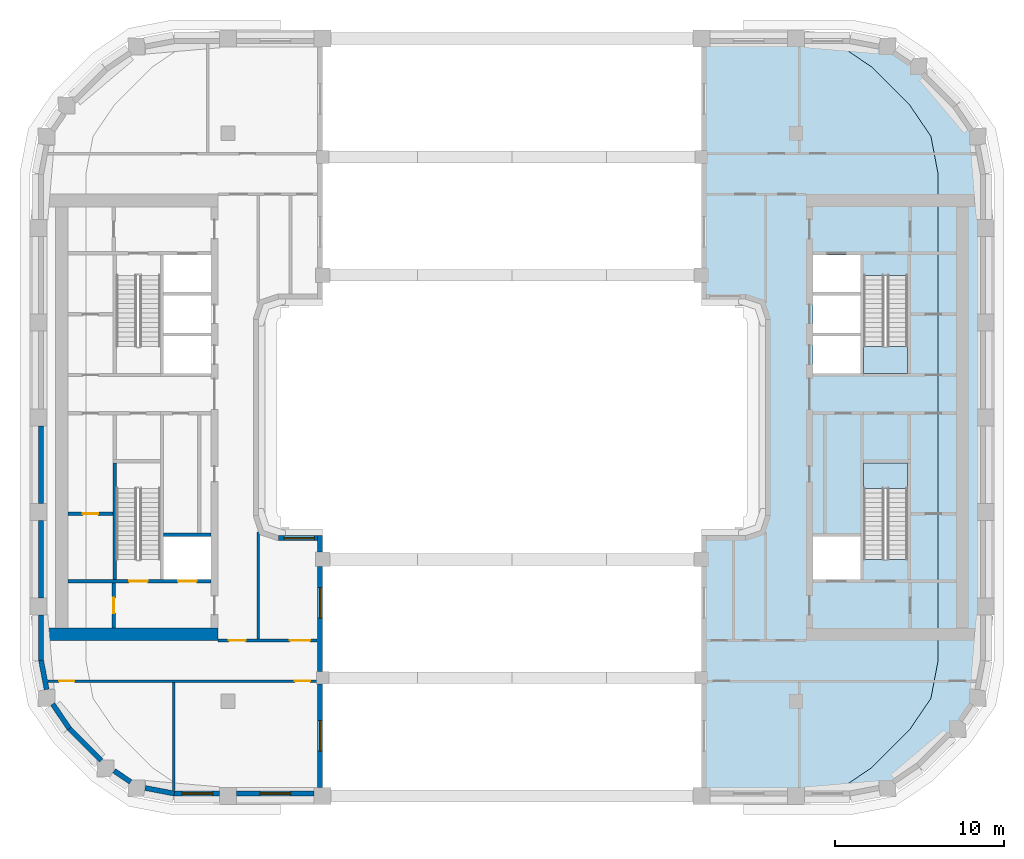
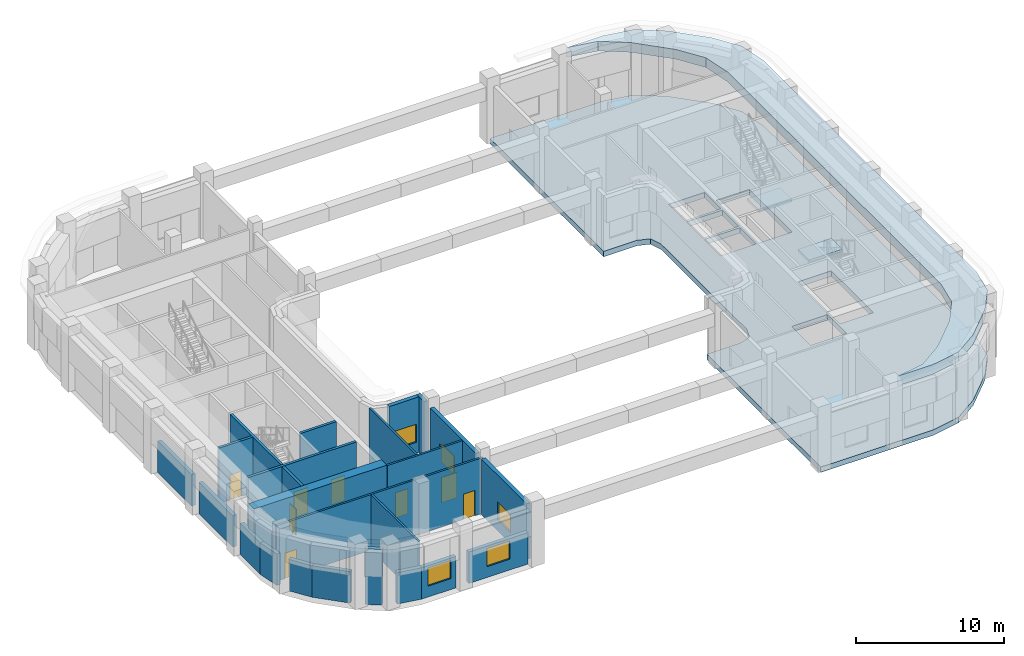
# One storey, part 2 of 14: 24 walls, 8 doors, 5 windows, 4 slabs, 13 openings, 2 elements without a shape of their own.
"""IFC4 building model written with IfcOpenShell, lengths in metres."""

from ifc_helpers import new_model, si_unit, direction, frame, frame_2d, origin, place, context, subcontext, project, spatial, polyline, rectangle, outline, extrude, material, layer, layer_set, type_object, element, fill, aggregate, save


model = new_model("IFC4")

# Units and contexts
model_context = context("Model", 3, precision=1e-05, world=origin(), true_north=direction((0.0, 1.0)))
body_context = subcontext(model_context, "Body", "Model", "MODEL_VIEW")
ifc_project = project(units=[si_unit("LENGTHUNIT", "METRE"), si_unit("AREAUNIT", "SQUARE_METRE"), si_unit("VOLUMEUNIT", "CUBIC_METRE"), si_unit("PLANEANGLEUNIT", "RADIAN"), si_unit("MASSUNIT", "GRAM", prefix="KILO")], contexts=[model_context])

# Site, building, storey
site_placement = place(None, origin())
site = spatial("IfcSite", under=ifc_project, at=site_placement, CompositionType="ELEMENT")
building_placement = place(site_placement, origin())
building = spatial("IfcBuilding", under=site, at=building_placement, Name="Kiln Ring Residences", CompositionType="ELEMENT")
storey_placement = place(building_placement, frame((0.0, 0.0, 183.5)))
storey = spatial("IfcBuildingStorey", under=building, at=storey_placement, Name="L47", CompositionType="ELEMENT", Elevation=183.5)

# Stair, slab
ifc_material_1 = material(Name="Concrete C40/50", Category="concrete")
stair_type = type_object("IfcStairType", Name="CORE-STAIR", PredefinedType="HALF_TURN_STAIR", material=ifc_material_1)
placement_1 = place(storey_placement, origin())
stair_1 = element("IfcStair", 1, at=placement_1, inside=storey, type_object=stair_type, Name="L47 stair E-STN", PredefinedType="HALF_TURN_STAIR")
ifc_material_2 = material(Name="Concrete C40/50", Category="concrete")
ifc_layer_1 = layer(ifc_material_2, 0.199951171875)
ifc_layer_set_1 = layer_set([ifc_layer_1], Name="CORE-STAIR-LANDING")
slab_type_1 = type_object("IfcSlabType", Name="CORE-STAIR-LANDING", PredefinedType="LANDING", material=ifc_layer_set_1)
placement_2 = place(storey_placement, frame((0.0, 0.0, 2.5)))
slab_1 = element("IfcSlab", 2, at=placement_2, type_object=slab_type_1, Name="E-STN landing 1", PredefinedType="LANDING", context=body_context, shape_type="SweptSolid", body=[
    extrude(outline(polyline([(20.800048828125, 4.199951171875), (20.800048828125, 2.60009765625), (23.39990234375, 2.60009765625), (23.39990234375, 4.199951171875), (20.800048828125, 4.199951171875)])), origin(), (0.0, 0.0, 1.0), 0.199951171875),
])
aggregate(stair_1, [slab_1])

stair_2 = element("IfcStair", 3, at=placement_1, inside=storey, type_object=stair_type, Name="L47 stair E-STS", PredefinedType="HALF_TURN_STAIR")
slab_2 = element("IfcSlab", 4, at=placement_2, type_object=slab_type_1, Name="E-STS landing 1", PredefinedType="LANDING", context=body_context, shape_type="SweptSolid", body=[
    extrude(outline(polyline([(23.39990234375, -4.199951171875), (23.39990234375, -2.699951171875), (20.800048828125, -2.699951171875), (20.800048828125, -4.199951171875), (23.39990234375, -4.199951171875)])), origin(), (0.0, 0.0, 1.0), 0.199951171875),
])
aggregate(stair_2, [slab_2])

# Slabs
ifc_material_3 = material(Name="Concrete C40/50", Category="concrete")
ifc_layer_2 = layer(ifc_material_3, 0.449951171875)
ifc_layer_set_2 = layer_set([ifc_layer_2], Name="Floor slab 450")
slab_type_2 = type_object("IfcSlabType", Name="Floor slab 450", PredefinedType="FLOOR", material=ifc_layer_set_2)
slab_3_placement = place(storey_placement, frame((0.0, 0.0, -0.449951171875)))
element("IfcSlab", 5, at=slab_3_placement, inside=storey, type_object=slab_type_2, Name="Floor slab L47 2", PredefinedType="FLOOR", context=body_context, shape_type="SweptSolid", body=[
    extrude(outline(polyline([(13.800048828125, -7.0), (11.199951171875, -7.0), (11.199951171875, -22.39990234375), (20.0, -22.39990234375), (22.224365234375, -21.975830078125), (24.09716796875, -20.702880859375), (26.302978515625, -18.4970703125), (27.57568359375, -16.624267578125), (28.0, -14.39990234375), (28.0, 14.39990234375), (27.57568359375, 16.624267578125), (26.302978515625, 18.4970703125), (24.09716796875, 20.702880859375), (22.224365234375, 21.975830078125), (20.0, 22.39990234375), (11.199951171875, 22.39990234375), (11.199951171875, 7.0), (13.800048828125, 7.0), (14.699951171875, 6.699951171875), (15.0, 5.800048828125), (15.0, -5.800048828125), (14.699951171875, -6.699951171875), (13.800048828125, -7.0)]), holes=[polyline([(20.800048828125, -8.39794921875), (20.800048828125, -2.699951171875), (23.39990234375, -2.699951171875), (23.39990234375, -8.39794921875), (20.800048828125, -8.39794921875)]), polyline([(23.39990234375, 2.60009765625), (20.800048828125, 2.60009765625), (20.800048828125, 8.39794921875), (23.39990234375, 8.39794921875), (23.39990234375, 2.60009765625)]), polyline([(17.800048828125, 2.60009765625), (17.800048828125, 4.800048828125), (20.60009765625, 4.800048828125), (20.60009765625, 2.60009765625), (17.800048828125, 2.60009765625)]), polyline([(17.800048828125, 5.0), (17.800048828125, 7.199951171875), (20.60009765625, 7.199951171875), (20.60009765625, 5.0), (17.800048828125, 5.0)]), polyline([(17.800048828125, 7.39990234375), (17.800048828125, 9.60009765625), (20.60009765625, 9.60009765625), (20.60009765625, 7.39990234375), (17.800048828125, 7.39990234375)]), polyline([(20.60009765625, -9.60009765625), (17.800048828125, -9.60009765625), (17.800048828125, -7.050048828125), (20.60009765625, -7.050048828125), (20.60009765625, -9.60009765625)])]), origin(), (0.0, 0.0, 1.0), 0.449951171875),
])
ifc_material_4 = material(Name="Concrete C40/50", Category="concrete")
ifc_layer_3 = layer(ifc_material_4, 0.800048828125)
ifc_layer_set_3 = layer_set([ifc_layer_3], Name="Roof slab 800")
slab_type_3 = type_object("IfcSlabType", Name="Roof slab 800", PredefinedType="ROOF", material=ifc_layer_set_3)
slab_4_placement = place(storey_placement, frame((0.0, 0.0, 4.60009765625)))
element("IfcSlab", 6, at=slab_4_placement, inside=storey, type_object=slab_type_3, Name="Roof slab L47 2", PredefinedType="ROOF", context=body_context, shape_type="SweptSolid", body=[
    extrude(outline(polyline([(17.20263671875, 22.39990234375), (19.424560546875, 21.97607421875), (21.29736328125, 20.703369140625), (23.50341796875, 18.497314453125), (24.776123046875, 16.62451171875), (25.200439453125, 14.400146484375), (25.200439453125, -14.400146484375), (24.776123046875, -16.62451171875), (23.50341796875, -18.497314453125), (21.29736328125, -20.703369140625), (19.424560546875, -21.97607421875), (17.20263671875, -22.39990234375), (20.0, -22.39990234375), (22.224365234375, -21.975830078125), (24.09716796875, -20.702880859375), (26.302978515625, -18.4970703125), (27.57568359375, -16.624267578125), (28.0, -14.39990234375), (28.0, 14.39990234375), (27.57568359375, 16.624267578125), (26.302978515625, 18.4970703125), (24.09716796875, 20.702880859375), (22.224365234375, 21.975830078125), (20.0, 22.39990234375), (17.20263671875, 22.39990234375)])), origin(), (0.0, 0.0, 1.0), 0.7998046875),
])

# Wall, opening, door
ifc_material_5 = material(Name="Gypsum board on steel studs", Category="steel")
ifc_layer_4 = layer(ifc_material_5, 0.199951171875)
ifc_layer_set_4 = layer_set([ifc_layer_4], Name="CORE-PARTITION-200")
wall_type_1 = type_object("IfcWallType", Name="CORE-PARTITION-200", PredefinedType="PARTITIONING", material=ifc_layer_set_4)
wall_1_placement = place(storey_placement, frame((-23.550048828125, -12.449951171875, 0.0), z_axis=(0.0, 0.0, 1.0), x_axis=(0.0, 1.0, 0.0)))
wall_1 = element("IfcWall", 7, at=wall_1_placement, inside=storey, type_object=wall_type_1, Name="Core partition west L47 5", PredefinedType="PARTITIONING", context=body_context, shape_type="SweptSolid", body=[
    extrude(rectangle(XDim=2.64990234375, YDim=0.199951171875, at=frame_2d((1.324951171875, 0.0))), origin(), (0.0, 0.0, 1.0), 4.60009765625),
])
opening_1_placement = place(wall_1_placement, frame((0.875, 0.0, 0.0)))
opening_1 = element("IfcOpeningElement", 8, at=opening_1_placement, cuts=wall_1, Name="Opening L47-CW10", PredefinedType="OPENING", context=body_context, shape_type="SweptSolid", body=[
    extrude(rectangle(XDim=0.89990234375, YDim=2.10009765625, at=frame_2d((0.449951171875, 1.050048828125))), frame((0.0, 0.10986328125, 0.0), z_axis=(0.0, -1.0, 0.0), x_axis=(1.0, 0.0, 0.0)), (0.0, 0.0, 1.0), 0.219970703125),
])
ifc_material_6 = material(Name="Steel door leaf", Category="steel")
door_type_1 = type_object("IfcDoorType", Name="CORE-DOOR-ROOM", OperationType="SINGLE_SWING_LEFT", PredefinedType="DOOR", material=ifc_material_6)
door_1_placement = place(opening_1_placement, origin())
door_1 = element("IfcDoor", 9, at=door_1_placement, inside=storey, type_object=door_type_1, Name="Store L47-CW10", OperationType="SINGLE_SWING_RIGHT", OverallHeight=2.10009765625, OverallWidth=0.89990234375, PredefinedType="DOOR", context=body_context, shape_type="SweptSolid", body=[
    extrude(rectangle(XDim=0.89990234375, YDim=2.10009765625, at=frame_2d((0.449951171875, 1.050048828125))), frame((0.0, 0.02490234375, 0.0), z_axis=(0.0, -1.0, 0.0), x_axis=(1.0, 0.0, 0.0)), (0.0, 0.0, 1.0), 0.050048828125),
])
fill(opening_1, door_1)

wall_2_placement = place(storey_placement, frame((-23.60009765625, -5.699951171875, 0.0), z_axis=(0.0, 0.0, 1.0), x_axis=(-1.0, 0.0, 0.0)))
wall_2 = element("IfcWall", 10, at=wall_2_placement, inside=storey, type_object=wall_type_1, Name="Core partition west L47 6", PredefinedType="PARTITIONING", context=body_context, shape_type="SweptSolid", body=[
    extrude(rectangle(XDim=2.64990234375, YDim=0.199951171875, at=frame_2d((1.324951171875, 0.0))), origin(), (0.0, 0.0, 1.0), 4.60009765625),
])
opening_2_placement = place(wall_2_placement, frame((0.875, 0.0, 0.0)))
opening_2 = element("IfcOpeningElement", 11, at=opening_2_placement, cuts=wall_2, Name="Opening L47-CW15", PredefinedType="OPENING", context=body_context, shape_type="SweptSolid", body=[
    extrude(rectangle(XDim=0.89990234375, YDim=2.10009765625, at=frame_2d((0.449951171875, 1.050048828125))), frame((0.0, 0.10986328125, 0.0), z_axis=(0.0, -1.0, 0.0), x_axis=(1.0, 0.0, 0.0)), (0.0, 0.0, 1.0), 0.219970703125),
])
door_2_placement = place(opening_2_placement, origin())
door_2 = element("IfcDoor", 12, at=door_2_placement, inside=storey, type_object=door_type_1, Name="Battery room L47-CW15", OperationType="SINGLE_SWING_RIGHT", OverallHeight=2.10009765625, OverallWidth=0.89990234375, PredefinedType="DOOR", context=body_context, shape_type="SweptSolid", body=[
    extrude(rectangle(XDim=0.89990234375, YDim=2.10009765625, at=frame_2d((0.449951171875, 1.050048828125))), frame((0.0, 0.02490234375, 0.0), z_axis=(0.0, -1.0, 0.0), x_axis=(1.0, 0.0, 0.0)), (0.0, 0.0, 1.0), 0.050048828125),
])
fill(opening_2, door_2)

# Wall
ifc_material_7 = material(Name="Gypsum shaft wall system")
ifc_layer_5 = layer(ifc_material_7, 0.199951171875)
ifc_layer_set_5 = layer_set([ifc_layer_5], Name="CORE-SHAFT-WALL-200")
wall_type_2 = type_object("IfcWallType", Name="CORE-SHAFT-WALL-200", PredefinedType="PARTITIONING", material=ifc_layer_set_5)
wall_3_placement = place(storey_placement, frame((-17.800048828125, -6.949951171875, 0.0), z_axis=(0.0, 0.0, 1.0), x_axis=(-1.0, 0.0, 0.0)))
element("IfcWall", 13, at=wall_3_placement, inside=storey, type_object=wall_type_2, Name="Core partition west L47 8", PredefinedType="PARTITIONING", context=body_context, shape_type="SweptSolid", body=[
    extrude(rectangle(XDim=2.800048828125, YDim=0.199951171875, at=frame_2d((1.39990234375, 0.0))), origin(), (0.0, 0.0, 1.0), 4.60009765625),
])

# Wall, openings, doors
ifc_material_8 = material(Name="Concrete C40/50", Category="concrete")
ifc_layer_6 = layer(ifc_material_8, 0.199951171875)
ifc_layer_set_6 = layer_set([ifc_layer_6], Name="CORE-WALL-RC200")
wall_type_3 = type_object("IfcWallType", Name="CORE-WALL-RC200", PredefinedType="SHEAR", material=ifc_layer_set_6)
wall_4_placement = place(storey_placement, frame((-17.800048828125, -9.699951171875, 0.0), z_axis=(0.0, 0.0, 1.0), x_axis=(-1.0, 0.0, 0.0)))
wall_4 = element("IfcWall", 14, at=wall_4_placement, inside=storey, type_object=wall_type_3, Name="Core wall west L47 8", PredefinedType="SHEAR", context=body_context, shape_type="SweptSolid", body=[
    extrude(rectangle(XDim=8.449951171875, YDim=0.199951171875, at=frame_2d((4.22509765625, 0.0))), origin(), (0.0, 0.0, 1.0), 4.60009765625),
])
opening_3_placement = place(wall_4_placement, frame((0.85009765625, 0.0, 0.0)))
opening_3 = element("IfcOpeningElement", 15, at=opening_3_placement, cuts=wall_4, Name="Opening L47-CW01", PredefinedType="OPENING", context=body_context, shape_type="SweptSolid", body=[
    extrude(rectangle(XDim=1.10009765625, YDim=2.10009765625, at=frame_2d((0.550048828125, 1.050048828125))), frame((0.0, 0.10986328125, 0.0), z_axis=(0.0, -1.0, 0.0), x_axis=(1.0, 0.0, 0.0)), (0.0, 0.0, 1.0), 0.219970703125),
])
opening_4_placement = place(wall_4_placement, frame((3.75, 0.0, 0.0)))
opening_4 = element("IfcOpeningElement", 16, at=opening_4_placement, cuts=wall_4, Name="Opening L47-CW12", PredefinedType="OPENING", context=body_context, shape_type="SweptSolid", body=[
    extrude(rectangle(XDim=1.10009765625, YDim=2.10009765625, at=frame_2d((0.550048828125, 1.050048828125))), frame((0.0, 0.10986328125, 0.0), z_axis=(0.0, -1.0, 0.0), x_axis=(1.0, 0.0, 0.0)), (0.0, 0.0, 1.0), 0.219970703125),
])
ifc_material_9 = material(Name="Steel door leaf", Category="steel")
door_type_2 = type_object("IfcDoorType", Name="CORE-DOOR-LD", OperationType="DOUBLE_DOOR_SLIDING", PredefinedType="DOOR", material=ifc_material_9)
door_3_placement = place(opening_3_placement, origin())
door_3 = element("IfcDoor", 17, at=door_3_placement, inside=storey, type_object=door_type_2, Name="LD W-SV L47-CW01", OperationType="DOUBLE_DOOR_SLIDING", OverallHeight=2.10009765625, OverallWidth=1.10009765625, PredefinedType="DOOR", context=body_context, shape_type="SweptSolid", body=[
    extrude(rectangle(XDim=1.10009765625, YDim=2.10009765625, at=frame_2d((0.550048828125, 1.050048828125))), frame((0.0, 0.02490234375, 0.0), z_axis=(0.0, -1.0, 0.0), x_axis=(1.0, 0.0, 0.0)), (0.0, 0.0, 1.0), 0.050048828125),
])
fill(opening_3, door_3)
ifc_material_10 = material(Name="Steel door leaf", Category="steel")
door_type_3 = type_object("IfcDoorType", Name="CORE-DOOR-STAIR", OperationType="SINGLE_SWING_LEFT", PredefinedType="DOOR", material=ifc_material_10)
door_4_placement = place(opening_4_placement, origin())
door_4 = element("IfcDoor", 18, at=door_4_placement, inside=storey, type_object=door_type_3, Name="Stair W-STS L47-CW12", OperationType="SINGLE_SWING_LEFT", OverallHeight=2.10009765625, OverallWidth=1.10009765625, PredefinedType="DOOR", context=body_context, shape_type="SweptSolid", body=[
    extrude(rectangle(XDim=1.10009765625, YDim=2.10009765625, at=frame_2d((0.550048828125, 1.050048828125))), frame((0.0, 0.02490234375, 0.0), z_axis=(0.0, -1.0, 0.0), x_axis=(1.0, 0.0, 0.0)), (0.0, 0.0, 1.0), 0.050048828125),
])
fill(opening_4, door_4)

# Walls
wall_5_placement = place(storey_placement, frame((-23.5, -9.60009765625, 0.0), z_axis=(0.0, 0.0, 1.0), x_axis=(0.0, 1.0, 0.0)))
element("IfcWall", 19, at=wall_5_placement, inside=storey, type_object=wall_type_3, Name="Core wall west L47 11", PredefinedType="SHEAR", context=body_context, shape_type="SweptSolid", body=[
    extrude(rectangle(XDim=6.900146484375, YDim=0.199951171875, at=frame_2d((3.4501953125, 0.0))), origin(), (0.0, 0.0, 1.0), 4.60009765625),
])
ifc_material_11 = material(Name="Concrete C60/75", Category="concrete")
ifc_layer_7 = layer(ifc_material_11, 0.75)
ifc_layer_set_7 = layer_set([ifc_layer_7], Name="CORE-WALL-RC750")
wall_type_4 = type_object("IfcWallType", Name="CORE-WALL-RC750", PredefinedType="SHEAR", material=ifc_layer_set_7)
wall_6_placement = place(storey_placement, frame((-17.39990234375, -12.824951171875, 0.0), z_axis=(0.0, 0.0, 1.0), x_axis=(-1.0, 0.0, 0.0)))
element("IfcWall", 20, at=wall_6_placement, inside=storey, type_object=wall_type_4, Name="Core wall west L47 5", PredefinedType="SHEAR", context=body_context, shape_type="SweptSolid", body=[
    extrude(rectangle(XDim=10.400146484375, YDim=0.75, at=frame_2d((5.2001953125, 0.0))), origin(), (0.0, 0.0, 1.0), 4.60009765625),
])
ifc_material_12 = material(Name="Brick masonry, dark clay brick", Category="masonry")
ifc_layer_8 = layer(ifc_material_12, 0.300048828125)
ifc_layer_set_8 = layer_set([ifc_layer_8], Name="EW-300 BRICK WALL")
wall_type_5 = type_object("IfcWallType", Name="EW-300 BRICK WALL", PredefinedType="SOLIDWALL", material=ifc_layer_set_8)
for number, where, z_axis, x_axis, name in (
    (21, (-27.8525390625, -14.371826171875, 0.0), (0.0, 0.0, 1.0), (0.187259034321, -0.982310569049, 0.0), "Facade wall L47 1"),
    (22, (-27.166015625, -16.96044921875, 0.0), (0.0, 0.0, 1.0), (0.562089443061, -0.82707645233, 0.0), "Facade wall L47 2"),
):
    element("IfcWall", number, at=place(storey_placement, frame(where, z_axis=z_axis, x_axis=x_axis)), inside=storey, type_object=wall_type_5, Name=name, PredefinedType="SOLIDWALL", context=body_context, shape_type="SweptSolid", body=[
        extrude(rectangle(XDim=1.756103515625, YDim=0.300048828125, at=frame_2d((0.8779296875, 0.0))), origin(), (0.0, 0.0, 1.0), 2.60009765625),
    ])
wall_7_placement = place(storey_placement, frame((-26.19677734375, -18.390869140625, 0.0), z_axis=(0.0, 0.0, 1.0), x_axis=(0.707061571201, -0.707151988282, 0.0)))
element("IfcWall", 23, at=wall_7_placement, inside=storey, type_object=wall_type_5, Name="Facade wall L47 3", PredefinedType="SOLIDWALL", context=body_context, shape_type="SweptSolid", body=[
    extrude(rectangle(XDim=2.7001953125, YDim=0.300048828125, at=frame_2d((1.35009765625, 0.0))), origin(), (0.0, 0.0, 1.0), 2.60009765625),
])
wall_8_placement = place(storey_placement, frame((-23.533935546875, -20.904296875, 0.0), z_axis=(0.0, 0.0, 1.0), x_axis=(0.827103906596, -0.56204904385, 0.0)))
element("IfcWall", 24, at=wall_8_placement, inside=storey, type_object=wall_type_5, Name="Facade wall L47 4", PredefinedType="SOLIDWALL", context=body_context, shape_type="SweptSolid", body=[
    extrude(rectangle(XDim=1.17724609375, YDim=0.300048828125, at=frame_2d((0.588623046875, 0.0))), origin(), (0.0, 0.0, 1.0), 4.60009765625),
])
wall_9_placement = place(storey_placement, frame((-21.697021484375, -21.923583984375, 0.0), z_axis=(0.0, 0.0, 1.0), x_axis=(0.982284988433, -0.187393173565, 0.0)))
element("IfcWall", 25, at=wall_9_placement, inside=storey, type_object=wall_type_5, Name="Facade wall L47 5", PredefinedType="SOLIDWALL", context=body_context, shape_type="SweptSolid", body=[
    extrude(rectangle(XDim=1.756103515625, YDim=0.300048828125, at=frame_2d((0.8779296875, 0.0))), origin(), (0.0, 0.0, 1.0), 2.60009765625),
])

# Wall, opening, window
wall_10_placement = place(storey_placement, frame((-20.0, -22.25, 0.0), z_axis=(0.0, 0.0, 1.0), x_axis=(1.0, 0.0, 0.0)))
wall_10 = element("IfcWall", 26, at=wall_10_placement, inside=storey, type_object=wall_type_5, Name="Facade wall L47 6", PredefinedType="SOLIDWALL", context=body_context, shape_type="SweptSolid", body=[
    extrude(rectangle(XDim=2.699951171875, YDim=0.300048828125, at=frame_2d((1.35009765625, 0.0))), origin(), (0.0, 0.0, 1.0), 2.60009765625),
])
opening_5_placement = place(wall_10_placement, frame((0.489990234375, 0.0, 0.89990234375)))
opening_5 = element("IfcOpeningElement", 27, at=opening_5_placement, cuts=wall_10, Name="Opening LV1", PredefinedType="OPENING", context=body_context, shape_type="SweptSolid", body=[
    extrude(rectangle(XDim=1.800048828125, YDim=1.5, at=frame_2d((0.89990234375, 0.75))), frame((0.0, 0.159912109375, 0.0), z_axis=(0.0, -1.0, 0.0), x_axis=(1.0, 0.0, 0.0)), (0.0, 0.0, 1.0), 0.320068359375),
])
ifc_material_13 = material(Name="Aluminium louvre", Category="aluminium")
window_type = type_object("IfcWindowType", Name="LOUVRED VENT 1800 x 1500", PartitioningType="SINGLE_PANEL", PredefinedType="WINDOW", material=ifc_material_13)
window_1_placement = place(opening_5_placement, origin())
window_1 = element("IfcWindow", 28, at=window_1_placement, inside=storey, type_object=window_type, Name="Louvred vent L47 1", OverallHeight=1.5, OverallWidth=1.800048828125, PartitioningType="SINGLE_PANEL", PredefinedType="WINDOW", context=body_context, shape_type="SweptSolid", body=[
    extrude(rectangle(XDim=1.800048828125, YDim=1.5, at=frame_2d((0.89990234375, 0.75))), frame((0.0, 0.030029296875, 0.0), z_axis=(0.0, -1.0, 0.0), x_axis=(1.0, 0.0, 0.0)), (0.0, 0.0, 1.0), 0.06005859375),
])
fill(opening_5, window_1)

wall_11_placement = place(storey_placement, frame((-16.300048828125, -22.25, 0.0), z_axis=(0.0, 0.0, 1.0), x_axis=(1.0, 0.0, 0.0)))
wall_11 = element("IfcWall", 29, at=wall_11_placement, inside=storey, type_object=wall_type_5, Name="Facade wall L47 7", PredefinedType="SOLIDWALL", context=body_context, shape_type="SweptSolid", body=[
    extrude(rectangle(XDim=4.60009765625, YDim=0.300048828125, at=frame_2d((2.300048828125, 0.0))), origin(), (0.0, 0.0, 1.0), 2.60009765625),
])
opening_6_placement = place(wall_11_placement, frame((1.39990234375, 0.0, 0.89990234375)))
opening_6 = element("IfcOpeningElement", 30, at=opening_6_placement, cuts=wall_11, Name="Opening LV1", PredefinedType="OPENING", context=body_context, shape_type="SweptSolid", body=[
    extrude(rectangle(XDim=1.800048828125, YDim=1.5, at=frame_2d((0.89990234375, 0.75))), frame((0.0, 0.159912109375, 0.0), z_axis=(0.0, -1.0, 0.0), x_axis=(1.0, 0.0, 0.0)), (0.0, 0.0, 1.0), 0.320068359375),
])
window_2_placement = place(opening_6_placement, origin())
window_2 = element("IfcWindow", 31, at=window_2_placement, inside=storey, type_object=window_type, Name="Louvred vent L47 2", OverallHeight=1.5, OverallWidth=1.800048828125, PartitioningType="SINGLE_PANEL", PredefinedType="WINDOW", context=body_context, shape_type="SweptSolid", body=[
    extrude(rectangle(XDim=1.800048828125, YDim=1.5, at=frame_2d((0.89990234375, 0.75))), frame((0.0, 0.030029296875, 0.0), z_axis=(0.0, -1.0, 0.0), x_axis=(1.0, 0.0, 0.0)), (0.0, 0.0, 1.0), 0.06005859375),
])
fill(opening_6, window_2)

wall_12_placement = place(storey_placement, frame((-11.35009765625, -21.89990234375, 0.0), z_axis=(0.0, 0.0, 1.0), x_axis=(0.0, 1.0, 0.0)))
wall_12 = element("IfcWall", 32, at=wall_12_placement, inside=storey, type_object=wall_type_5, Name="Facade wall L47 8", PredefinedType="SOLIDWALL", context=body_context, shape_type="SweptSolid", body=[
    extrude(rectangle(XDim=6.125, YDim=0.300048828125, at=frame_2d((3.0625, 0.0))), origin(), (0.0, 0.0, 1.0), 4.60009765625),
])
opening_7_placement = place(wall_12_placement, frame((2.16259765625, 0.0, 0.89990234375)))
opening_7 = element("IfcOpeningElement", 33, at=opening_7_placement, cuts=wall_12, Name="Opening LV1", PredefinedType="OPENING", context=body_context, shape_type="SweptSolid", body=[
    extrude(rectangle(XDim=1.800048828125, YDim=1.5, at=frame_2d((0.89990234375, 0.75))), frame((0.0, 0.159912109375, 0.0), z_axis=(0.0, -1.0, 0.0), x_axis=(1.0, 0.0, 0.0)), (0.0, 0.0, 1.0), 0.320068359375),
])
window_3_placement = place(opening_7_placement, origin())
window_3 = element("IfcWindow", 34, at=window_3_placement, inside=storey, type_object=window_type, Name="Louvred vent L47 3", OverallHeight=1.5, OverallWidth=1.800048828125, PartitioningType="SINGLE_PANEL", PredefinedType="WINDOW", context=body_context, shape_type="SweptSolid", body=[
    extrude(rectangle(XDim=1.800048828125, YDim=1.5, at=frame_2d((0.89990234375, 0.75))), frame((0.0, 0.030029296875, 0.0), z_axis=(0.0, -1.0, 0.0), x_axis=(1.0, 0.0, 0.0)), (0.0, 0.0, 1.0), 0.06005859375),
])
fill(opening_7, window_3)

wall_13_placement = place(storey_placement, frame((-11.35009765625, -15.02490234375, 0.0), z_axis=(0.0, 0.0, 1.0), x_axis=(0.0, 1.0, 0.0)))
wall_13 = element("IfcWall", 35, at=wall_13_placement, inside=storey, type_object=wall_type_5, Name="Facade wall L47 9", PredefinedType="SOLIDWALL", context=body_context, shape_type="SweptSolid", body=[
    extrude(rectangle(XDim=6.199951171875, YDim=0.300048828125, at=frame_2d((3.10009765625, 0.0))), origin(), (0.0, 0.0, 1.0), 4.60009765625),
])
opening_8_placement = place(wall_13_placement, frame((3.14990234375, 0.0, 0.89990234375)))
opening_8 = element("IfcOpeningElement", 36, at=opening_8_placement, cuts=wall_13, Name="Opening LV1", PredefinedType="OPENING", context=body_context, shape_type="SweptSolid", body=[
    extrude(rectangle(XDim=1.800048828125, YDim=1.5, at=frame_2d((0.89990234375, 0.75))), frame((0.0, 0.159912109375, 0.0), z_axis=(0.0, -1.0, 0.0), x_axis=(1.0, 0.0, 0.0)), (0.0, 0.0, 1.0), 0.320068359375),
])
window_4_placement = place(opening_8_placement, origin())
window_4 = element("IfcWindow", 37, at=window_4_placement, inside=storey, type_object=window_type, Name="Louvred vent L47 4", OverallHeight=1.5, OverallWidth=1.800048828125, PartitioningType="SINGLE_PANEL", PredefinedType="WINDOW", context=body_context, shape_type="SweptSolid", body=[
    extrude(rectangle(XDim=1.800048828125, YDim=1.5, at=frame_2d((0.89990234375, 0.75))), frame((0.0, 0.030029296875, 0.0), z_axis=(0.0, -1.0, 0.0), x_axis=(1.0, 0.0, 0.0)), (0.0, 0.0, 1.0), 0.06005859375),
])
fill(opening_8, window_4)

# Wall
wall_14_placement = place(storey_placement, frame((-11.35009765625, -7.97509765625, 0.0), z_axis=(0.0, 0.0, 1.0), x_axis=(0.0, 1.0, 0.0)))
element("IfcWall", 38, at=wall_14_placement, inside=storey, type_object=wall_type_5, Name="Facade wall L47 10", PredefinedType="SOLIDWALL", context=body_context, shape_type="SweptSolid", body=[
    extrude(rectangle(XDim=0.97509765625, YDim=0.300048828125, at=frame_2d((0.487548828125, 0.0))), origin(), (0.0, 0.0, 1.0), 4.60009765625),
])

# Wall, opening, window
wall_15_placement = place(storey_placement, frame((-11.199951171875, -7.14990234375, 0.0), z_axis=(0.0, 0.0, 1.0), x_axis=(-1.0, 0.0, 0.0)))
wall_15 = element("IfcWall", 39, at=wall_15_placement, inside=storey, type_object=wall_type_5, Name="Facade wall L47 11", PredefinedType="SOLIDWALL", context=body_context, shape_type="SweptSolid", body=[
    extrude(rectangle(XDim=2.60009765625, YDim=0.300048828125, at=frame_2d((1.300048828125, 0.0))), origin(), (0.0, 0.0, 1.0), 4.60009765625),
])
opening_9_placement = place(wall_15_placement, frame((0.482421875, 0.0, 0.89990234375)))
opening_9 = element("IfcOpeningElement", 40, at=opening_9_placement, cuts=wall_15, Name="Opening LV1", PredefinedType="OPENING", context=body_context, shape_type="SweptSolid", body=[
    extrude(rectangle(XDim=1.800048828125, YDim=1.5, at=frame_2d((0.89990234375, 0.75))), frame((0.0, 0.159912109375, 0.0), z_axis=(0.0, -1.0, 0.0), x_axis=(1.0, 0.0, 0.0)), (0.0, 0.0, 1.0), 0.320068359375),
])
window_5_placement = place(opening_9_placement, origin())
window_5 = element("IfcWindow", 41, at=window_5_placement, inside=storey, type_object=window_type, Name="Louvred vent L47 5", OverallHeight=1.5, OverallWidth=1.800048828125, PartitioningType="SINGLE_PANEL", PredefinedType="WINDOW", context=body_context, shape_type="SweptSolid", body=[
    extrude(rectangle(XDim=1.800048828125, YDim=1.5, at=frame_2d((0.89990234375, 0.75))), frame((0.0, 0.030029296875, 0.0), z_axis=(0.0, -1.0, 0.0), x_axis=(1.0, 0.0, 0.0)), (0.0, 0.0, 1.0), 0.06005859375),
])
fill(opening_9, window_5)

# Walls
wall_16_placement = place(storey_placement, frame((-27.85009765625, -0.5, 0.0), z_axis=(0.0, 0.0, 1.0), x_axis=(0.0, -1.0, 0.0)))
element("IfcWall", 42, at=wall_16_placement, inside=storey, type_object=wall_type_5, Name="Facade wall L47 27", PredefinedType="SOLIDWALL", context=body_context, shape_type="SweptSolid", body=[
    extrude(rectangle(XDim=4.60009765625, YDim=0.300048828125, at=frame_2d((2.300048828125, 0.0))), origin(), (0.0, 0.0, 1.0), 2.60009765625),
])
wall_17_placement = place(storey_placement, frame((-27.85009765625, -6.10009765625, 0.0), z_axis=(0.0, 0.0, 1.0), x_axis=(0.0, -1.0, 0.0)))
element("IfcWall", 43, at=wall_17_placement, inside=storey, type_object=wall_type_5, Name="Facade wall L47 28", PredefinedType="SOLIDWALL", context=body_context, shape_type="SweptSolid", body=[
    extrude(rectangle(XDim=4.599853515625, YDim=0.300048828125, at=frame_2d((2.2998046875, 0.0))), origin(), (0.0, 0.0, 1.0), 2.60009765625),
])
wall_18_placement = place(storey_placement, frame((-27.85009765625, -11.699951171875, 0.0), z_axis=(0.0, 0.0, 1.0), x_axis=(0.0, -1.0, 0.0)))
element("IfcWall", 44, at=wall_18_placement, inside=storey, type_object=wall_type_5, Name="Facade wall L47 29", PredefinedType="SOLIDWALL", context=body_context, shape_type="SweptSolid", body=[
    extrude(rectangle(XDim=2.699951171875, YDim=0.300048828125, at=frame_2d((1.35009765625, 0.0))), origin(), (0.0, 0.0, 1.0), 2.60009765625),
])

# Wall, openings, doors
ifc_material_14 = material(Name="Brick masonry partition", Category="masonry")
ifc_layer_9 = layer(ifc_material_14, 0.14990234375)
ifc_layer_set_9 = layer_set([ifc_layer_9], Name="PARTITION-150-ei60")
wall_type_6 = type_object("IfcWallType", Name="PARTITION-150-ei60", PredefinedType="PARTITIONING", material=ifc_layer_set_9)
wall_19_placement = place(storey_placement, frame((-27.44580078125, -15.60009765625, 0.0), z_axis=(0.0, 0.0, 1.0), x_axis=(1.0, 0.0, 0.0)))
wall_19 = element("IfcWall", 45, at=wall_19_placement, inside=storey, type_object=wall_type_6, Name="Partition 000", PredefinedType="PARTITIONING", context=body_context, shape_type="SweptSolid", body=[
    extrude(rectangle(XDim=16.15576171875, YDim=0.14990234375, at=frame_2d((8.077880859375, 0.0))), origin(), (0.0, 0.0, 1.0), 4.60009765625),
])
opening_10_placement = place(wall_19_placement, frame((14.6005859375, 0.0, 0.0)))
opening_10 = element("IfcOpeningElement", 46, at=opening_10_placement, cuts=wall_19, Name="Opening L47-D012", PredefinedType="OPENING", context=body_context, shape_type="SweptSolid", body=[
    extrude(rectangle(XDim=0.89990234375, YDim=2.10009765625, at=frame_2d((0.449951171875, 1.050048828125))), frame((0.0, 0.0849609375, 0.0), z_axis=(0.0, -1.0, 0.0), x_axis=(1.0, 0.0, 0.0)), (0.0, 0.0, 1.0), 0.169921875),
])
opening_11_placement = place(wall_19_placement, frame((0.666748046875, 0.0, 0.0)))
opening_11 = element("IfcOpeningElement", 47, at=opening_11_placement, cuts=wall_19, Name="Opening L47-D013", PredefinedType="OPENING", context=body_context, shape_type="SweptSolid", body=[
    extrude(rectangle(XDim=0.89990234375, YDim=2.10009765625, at=frame_2d((0.449951171875, 1.050048828125))), frame((0.0, 0.0849609375, 0.0), z_axis=(0.0, -1.0, 0.0), x_axis=(1.0, 0.0, 0.0)), (0.0, 0.0, 1.0), 0.169921875),
])
ifc_material_15 = material(Name="Steel faced fire door leaf", Category="steel")
door_type_4 = type_object("IfcDoorType", Name="FLAT-DOOR-900-FR", OperationType="SINGLE_SWING_LEFT", PredefinedType="DOOR", material=ifc_material_15)
door_5_placement = place(opening_10_placement, origin())
door_5 = element("IfcDoor", 48, at=door_5_placement, inside=storey, type_object=door_type_4, Name="Door L47-D012", OperationType="SINGLE_SWING_RIGHT", OverallHeight=2.10009765625, OverallWidth=0.89990234375, PredefinedType="DOOR", context=body_context, shape_type="SweptSolid", body=[
    extrude(rectangle(XDim=0.89990234375, YDim=2.10009765625, at=frame_2d((0.449951171875, 1.050048828125))), frame((0.0, 0.02490234375, 0.0), z_axis=(0.0, -1.0, 0.0), x_axis=(1.0, 0.0, 0.0)), (0.0, 0.0, 1.0), 0.050048828125),
])
fill(opening_10, door_5)
door_6_placement = place(opening_11_placement, origin())
door_6 = element("IfcDoor", 49, at=door_6_placement, inside=storey, type_object=door_type_4, Name="Door L47-D013", OperationType="SINGLE_SWING_LEFT", OverallHeight=2.10009765625, OverallWidth=0.89990234375, PredefinedType="DOOR", context=body_context, shape_type="SweptSolid", body=[
    extrude(rectangle(XDim=0.89990234375, YDim=2.10009765625, at=frame_2d((0.449951171875, 1.050048828125))), frame((0.0, 0.02490234375, 0.0), z_axis=(0.0, -1.0, 0.0), x_axis=(1.0, 0.0, 0.0)), (0.0, 0.0, 1.0), 0.050048828125),
])
fill(opening_11, door_6)

wall_20_placement = place(storey_placement, frame((-17.39990234375, -13.199951171875, 0.0), z_axis=(0.0, 0.0, 1.0), x_axis=(1.0, 0.0, 0.0)))
wall_20 = element("IfcWall", 50, at=wall_20_placement, inside=storey, type_object=wall_type_6, Name="Partition 002", PredefinedType="PARTITIONING", context=body_context, shape_type="SweptSolid", body=[
    extrude(rectangle(XDim=5.8798828125, YDim=0.14990234375, at=frame_2d((2.93994140625, 0.0))), origin(), (0.0, 0.0, 1.0), 4.60009765625),
])
opening_12_placement = place(wall_20_placement, frame((0.64990234375, 0.0, 0.0)))
opening_12 = element("IfcOpeningElement", 51, at=opening_12_placement, cuts=wall_20, Name="Opening L47-D010", PredefinedType="OPENING", context=body_context, shape_type="SweptSolid", body=[
    extrude(rectangle(XDim=1.0, YDim=2.10009765625, at=frame_2d((0.5, 1.050048828125))), frame((0.0, 0.0849609375, 0.0), z_axis=(0.0, -1.0, 0.0), x_axis=(1.0, 0.0, 0.0)), (0.0, 0.0, 1.0), 0.169921875),
])
opening_13_placement = place(wall_20_placement, frame((4.260009765625, 0.0, 0.0)))
opening_13 = element("IfcOpeningElement", 52, at=opening_13_placement, cuts=wall_20, Name="Opening L47-D011", PredefinedType="OPENING", context=body_context, shape_type="SweptSolid", body=[
    extrude(rectangle(XDim=1.199951171875, YDim=2.10009765625, at=frame_2d((0.60009765625, 1.050048828125))), frame((0.0, 0.0849609375, 0.0), z_axis=(0.0, -1.0, 0.0), x_axis=(1.0, 0.0, 0.0)), (0.0, 0.0, 1.0), 0.169921875),
])
ifc_material_16 = material(Name="Steel faced fire door leaf", Category="steel")
door_type_5 = type_object("IfcDoorType", Name="FLAT-DOOR-1000-FR", OperationType="SINGLE_SWING_LEFT", PredefinedType="DOOR", material=ifc_material_16)
door_7_placement = place(opening_12_placement, origin())
door_7 = element("IfcDoor", 53, at=door_7_placement, inside=storey, type_object=door_type_5, Name="Door L47-D010", OperationType="SINGLE_SWING_LEFT", OverallHeight=2.10009765625, OverallWidth=1.0, PredefinedType="DOOR", context=body_context, shape_type="SweptSolid", body=[
    extrude(rectangle(XDim=1.0, YDim=2.10009765625, at=frame_2d((0.5, 1.050048828125))), frame((0.0, 0.02490234375, 0.0), z_axis=(0.0, -1.0, 0.0), x_axis=(1.0, 0.0, 0.0)), (0.0, 0.0, 1.0), 0.050048828125),
])
fill(opening_12, door_7)
ifc_material_17 = material(Name="Steel faced fire door leaf", Category="steel")
door_type_6 = type_object("IfcDoorType", Name="FLAT-DOOR-1200-FR", OperationType="SINGLE_SWING_LEFT", PredefinedType="DOOR", material=ifc_material_17)
door_8_placement = place(opening_13_placement, origin())
door_8 = element("IfcDoor", 54, at=door_8_placement, inside=storey, type_object=door_type_6, Name="Door L47-D011", OperationType="SINGLE_SWING_LEFT", OverallHeight=2.10009765625, OverallWidth=1.199951171875, PredefinedType="DOOR", context=body_context, shape_type="SweptSolid", body=[
    extrude(rectangle(XDim=1.199951171875, YDim=2.10009765625, at=frame_2d((0.60009765625, 1.050048828125))), frame((0.0, 0.02490234375, 0.0), z_axis=(0.0, -1.0, 0.0), x_axis=(1.0, 0.0, 0.0)), (0.0, 0.0, 1.0), 0.050048828125),
])
fill(opening_13, door_8)

# Walls
wall_21_placement = place(storey_placement, frame((-20.0, -22.07470703125, 0.0), z_axis=(0.0, 0.0, 1.0), x_axis=(0.0, 1.0, 0.0)))
element("IfcWall", 55, at=wall_21_placement, inside=storey, type_object=wall_type_6, Name="Partition 008", PredefinedType="PARTITIONING", context=body_context, shape_type="SweptSolid", body=[
    extrude(rectangle(XDim=6.399658203125, YDim=0.14990234375, at=frame_2d((3.19970703125, 0.0))), origin(), (0.0, 0.0, 1.0), 4.60009765625),
])
wall_22_placement = place(storey_placement, frame((-15.0, -13.125, 0.0), z_axis=(0.0, 0.0, 1.0), x_axis=(0.0, 1.0, 0.0)))
element("IfcWall", 56, at=wall_22_placement, inside=storey, type_object=wall_type_6, Name="Partition 010", PredefinedType="PARTITIONING", context=body_context, shape_type="SweptSolid", body=[
    extrude(rectangle(XDim=6.356201171875, YDim=0.14990234375, at=frame_2d((3.17822265625, 0.0))), origin(), (0.0, 0.0, 1.0), 4.60009765625),
])

save(model, "model.ifc")
